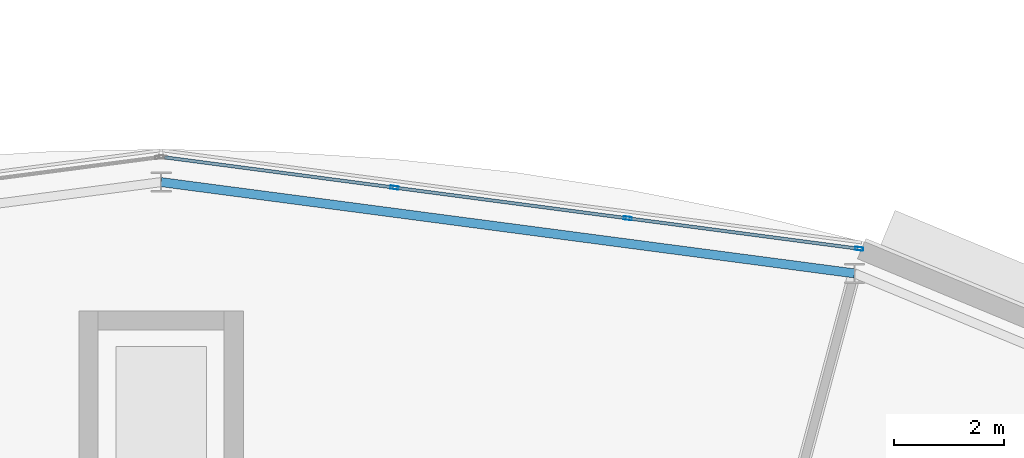
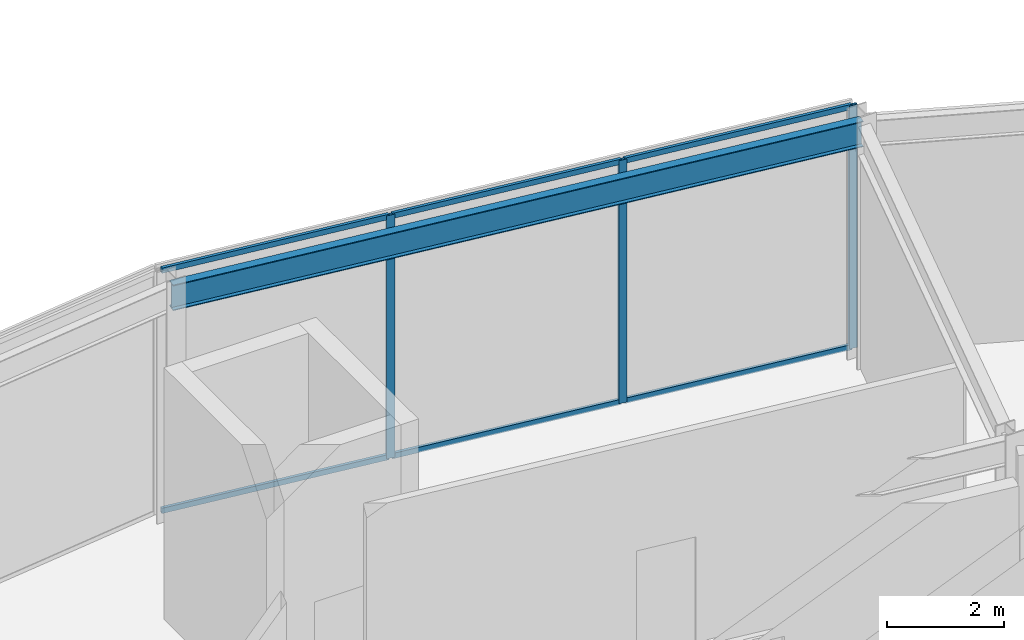
# One storey, part 93 of 168: 9 members, 1 beam, 1 element without a shape of its own.
"""IFC4 building model written with IfcOpenShell, lengths in metres."""

from ifc_helpers import new_model, si_unit, direction, frame, origin, origin_2d, place, context, subcontext, project, spatial, hollow_rectangle, i_section, extrude, material, material_profile, profile_set, type_object, element, aggregate, save


model = new_model("IFC4")

# Units and contexts
model_context = context("Model", 3, precision=1e-05, world=origin(), true_north=direction((0.0, 1.0)))
body_context = subcontext(model_context, "Body", "Model", "MODEL_VIEW")
ifc_project = project(units=[si_unit("LENGTHUNIT", "METRE"), si_unit("AREAUNIT", "SQUARE_METRE"), si_unit("VOLUMEUNIT", "CUBIC_METRE"), si_unit("PLANEANGLEUNIT", "RADIAN"), si_unit("MASSUNIT", "GRAM", prefix="KILO")], contexts=[model_context])

# Site, building, storey
site_placement = place(None, origin())
site = spatial("IfcSite", under=ifc_project, at=site_placement, CompositionType="ELEMENT")
building_placement = place(site_placement, origin())
building = spatial("IfcBuilding", under=site, at=building_placement, Name="Almandine Court Research Institute", CompositionType="ELEMENT")
storey_placement = place(building_placement, origin())
storey = spatial("IfcBuildingStorey", under=building, at=storey_placement, Name="L00", CompositionType="ELEMENT", Elevation=0.0)

# Beam
ifc_material_1 = material(Name="Steel ASTM A992 Grade 50", Category="steel")
ifc_material_profile_1 = material_profile(ifc_material_1, i_section(OverallWidth=0.166015625, OverallDepth=0.534912109375, WebThickness=0.010009765625, FlangeThickness=0.01708984375, at=origin_2d()), Name="W530x85")
ifc_profile_set_1 = profile_set([ifc_material_profile_1], Name="Steel ASTM A992 Grade 50")
beam_type = type_object("IfcBeamType", Name="Beam-G-05-E", PredefinedType="SPANDREL", material=ifc_profile_set_1)
beam_placement = place(storey_placement, frame((99.656005859375, 103.23388671875, 4.802978515625), z_axis=(-0.991446677504, 0.130512396599, 0.0), x_axis=(-0.130512396599, -0.991446677504, 0.0)))
element("IfcBeam", 1, at=beam_placement, inside=storey, type_object=beam_type, Name="L00 Drum OUT Ring Beam 05", PredefinedType="SPANDREL", context=body_context, shape_type="SweptSolid", body=[
    extrude(i_section(OverallWidth=0.166015625, OverallDepth=0.534912109375, WebThickness=0.010009765625, FlangeThickness=0.01708984375, at=origin_2d()), origin(), (0.0, 0.0, 1.0), 12.76513671875),
])

# Curtain wall, members
ifc_material_2 = material(Name="Unitised Curtain Wall Framing and Solar Glazing", Category="glass")
curtain_wall_type = type_object("IfcCurtainWallType", Name="CW-CWG-18", PredefinedType="USERDEFINED", material=ifc_material_2)
curtain_wall_placement = place(storey_placement, origin())
curtain_wall = element("IfcCurtainWall", 2, at=curtain_wall_placement, inside=storey, type_object=curtain_wall_type, Name="L00 Stacked-Ring Drum Outer Unitised Glazing 05", ObjectType="UNITISED GLAZING", PredefinedType="USERDEFINED")
ifc_material_3 = material(Name="Anodised Aluminium AW-6063-T6", Category="aluminium")
ifc_material_profile_2 = material_profile(ifc_material_3, hollow_rectangle(XDim=0.06005859375, YDim=0.14990234375, WallThickness=0.00390625, at=origin_2d()), Name="ALU RHS 60x150x4")
ifc_profile_set_2 = profile_set([ifc_material_profile_2], Name="Anodised Aluminium AW-6063-T6")
member_type_1 = type_object("IfcMemberType", Name="CWMul-60x150", PredefinedType="MULLION", material=ifc_profile_set_2)
member_1_placement = place(storey_placement, frame((91.259765625, 104.799560546875, 0.0), z_axis=(0.0, 0.0, 1.0), x_axis=(0.130540891259, 0.991442926098, 0.0)))
member_1 = element("IfcMember", 3, at=member_1_placement, type_object=member_type_1, Name="CWG-18 mullion 2", PredefinedType="MULLION", context=body_context, shape_type="SweptSolid", body=[
    extrude(hollow_rectangle(XDim=0.06005859375, YDim=0.14990234375, WallThickness=0.00390625, at=origin_2d()), origin(), (0.0, 0.0, 1.0), 5.070068359375),
])
member_2_placement = place(storey_placement, frame((95.515380859375, 104.2392578125, 0.0), z_axis=(0.0, 0.0, 1.0), x_axis=(0.130540891259, 0.991442926098, 0.0)))
member_2 = element("IfcMember", 4, at=member_2_placement, type_object=member_type_1, Name="CWG-18 mullion 3", PredefinedType="MULLION", context=body_context, shape_type="SweptSolid", body=[
    extrude(hollow_rectangle(XDim=0.06005859375, YDim=0.14990234375, WallThickness=0.00390625, at=origin_2d()), origin(), (0.0, 0.0, 1.0), 5.070068359375),
])
member_3_placement = place(storey_placement, frame((99.7412109375, 103.682861328125, 0.0), z_axis=(0.0, 0.0, 1.0), x_axis=(0.130540891259, 0.991442926098, 0.0)))
member_3 = element("IfcMember", 5, at=member_3_placement, type_object=member_type_1, Name="CWG-18 mullion 4", PredefinedType="MULLION", context=body_context, shape_type="SweptSolid", body=[
    extrude(hollow_rectangle(XDim=0.06005859375, YDim=0.14990234375, WallThickness=0.00390625, at=origin_2d()), origin(), (0.0, 0.0, 1.0), 5.070068359375),
])
ifc_material_profile_3 = material_profile(ifc_material_3, hollow_rectangle(XDim=0.06005859375, YDim=0.110107421875, WallThickness=0.00390625, at=origin_2d()), Name="ALU RHS 60x110x4")
ifc_profile_set_3 = profile_set([ifc_material_profile_3], Name="Anodised Aluminium AW-6063-T6")
member_type_2 = type_object("IfcMemberType", Name="CWTrn-60x110", PredefinedType="NOTDEFINED", material=ifc_profile_set_3)
member_4_placement = place(storey_placement, frame((87.0634765625, 105.35205078125, 0.030029296875), z_axis=(0.991443218791, -0.130538668266, 0.0), x_axis=(0.130538668266, 0.991443218791, 0.0)))
member_4 = element("IfcMember", 6, at=member_4_placement, type_object=member_type_2, Name="CWG-18 transom 1.1", ObjectType="TRANSOM", PredefinedType="USERDEFINED", context=body_context, shape_type="SweptSolid", body=[
    extrude(hollow_rectangle(XDim=0.06005859375, YDim=0.110107421875, WallThickness=0.00390625, at=origin_2d()), origin(), (0.0, 0.0, 1.0), 4.202392578125),
])
member_5_placement = place(storey_placement, frame((87.0634765625, 105.35205078125, 5.0400390625), z_axis=(0.991443218791, -0.130538668266, 0.0), x_axis=(0.130538668266, 0.991443218791, 0.0)))
member_5 = element("IfcMember", 7, at=member_5_placement, type_object=member_type_2, Name="CWG-18 transom 1.2", ObjectType="TRANSOM", PredefinedType="USERDEFINED", context=body_context, shape_type="SweptSolid", body=[
    extrude(hollow_rectangle(XDim=0.06005859375, YDim=0.110107421875, WallThickness=0.00390625, at=origin_2d()), origin(), (0.0, 0.0, 1.0), 4.202392578125),
])
member_6_placement = place(storey_placement, frame((91.289306640625, 104.795654296875, 0.030029296875), z_axis=(0.991443690345, -0.130535086761, 0.0), x_axis=(0.130535086761, 0.991443690345, 0.0)))
member_6 = element("IfcMember", 8, at=member_6_placement, type_object=member_type_2, Name="CWG-18 transom 2.1", ObjectType="TRANSOM", PredefinedType="USERDEFINED", context=body_context, shape_type="SweptSolid", body=[
    extrude(hollow_rectangle(XDim=0.06005859375, YDim=0.110107421875, WallThickness=0.00390625, at=origin_2d()), origin(), (0.0, 0.0, 1.0), 4.232421875),
])
member_7_placement = place(storey_placement, frame((91.289306640625, 104.795654296875, 5.0400390625), z_axis=(0.991443690345, -0.130535086761, 0.0), x_axis=(0.130535086761, 0.991443690345, 0.0)))
member_7 = element("IfcMember", 9, at=member_7_placement, type_object=member_type_2, Name="CWG-18 transom 2.2", ObjectType="TRANSOM", PredefinedType="USERDEFINED", context=body_context, shape_type="SweptSolid", body=[
    extrude(hollow_rectangle(XDim=0.06005859375, YDim=0.110107421875, WallThickness=0.00390625, at=origin_2d()), origin(), (0.0, 0.0, 1.0), 4.232421875),
])
member_8_placement = place(storey_placement, frame((95.545166015625, 104.2353515625, 0.030029296875), z_axis=(0.991442228753, -0.130546187402, 0.0), x_axis=(0.130546187402, 0.991442228753, 0.0)))
member_8 = element("IfcMember", 10, at=member_8_placement, type_object=member_type_2, Name="CWG-18 transom 3.1", ObjectType="TRANSOM", PredefinedType="USERDEFINED", context=body_context, shape_type="SweptSolid", body=[
    extrude(hollow_rectangle(XDim=0.06005859375, YDim=0.110107421875, WallThickness=0.00390625, at=origin_2d()), origin(), (0.0, 0.0, 1.0), 4.2021484375),
])
member_9_placement = place(storey_placement, frame((95.545166015625, 104.2353515625, 5.0400390625), z_axis=(0.991442228753, -0.130546187402, 0.0), x_axis=(0.130546187402, 0.991442228753, 0.0)))
member_9 = element("IfcMember", 11, at=member_9_placement, type_object=member_type_2, Name="CWG-18 transom 3.2", ObjectType="TRANSOM", PredefinedType="USERDEFINED", context=body_context, shape_type="SweptSolid", body=[
    extrude(hollow_rectangle(XDim=0.06005859375, YDim=0.110107421875, WallThickness=0.00390625, at=origin_2d()), origin(), (0.0, 0.0, 1.0), 4.2021484375),
])
aggregate(curtain_wall, [member_1, member_2, member_3, member_4, member_5, member_6, member_7, member_8, member_9])

save(model, "model.ifc")
